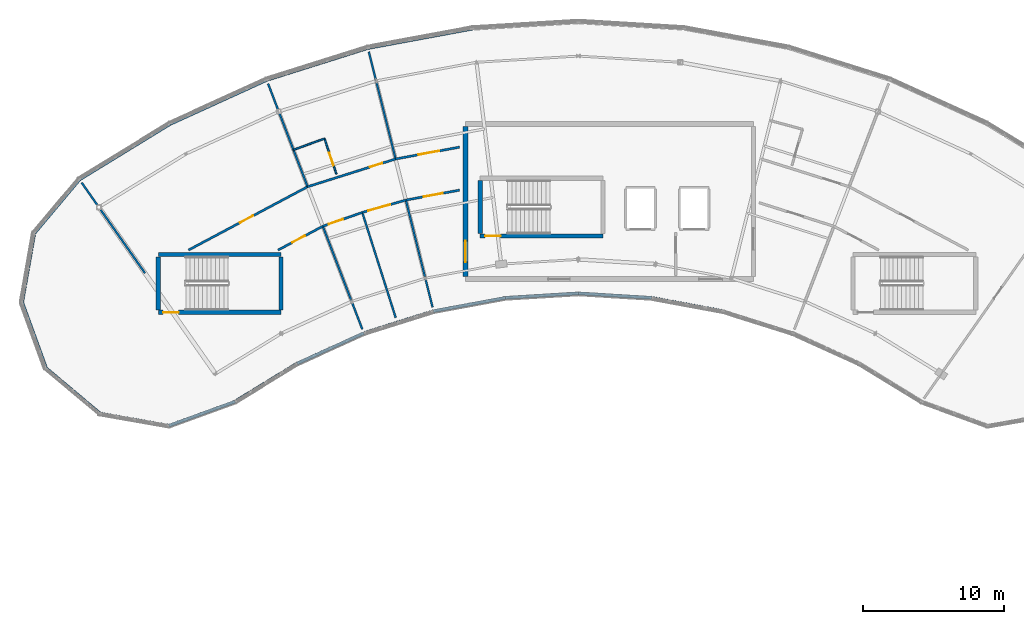
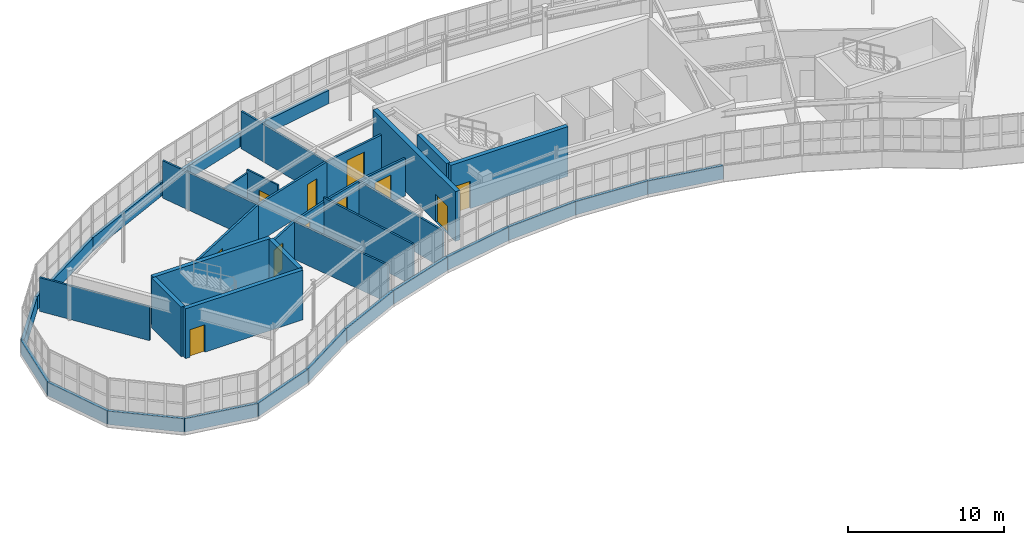
# One storey, part 54 of 65: 39 walls, 11 doors, 11 openings.
"""IFC4 building model written with IfcOpenShell, lengths in metres."""

from ifc_helpers import new_model, si_unit, direction, frame, frame_2d, origin, place, context, subcontext, project, spatial, rectangle, extrude, material, layer, layer_set, type_object, element, fill, save


model = new_model("IFC4")

# Units and contexts
model_context = context("Model", 3, precision=1e-05, world=origin(), true_north=direction((0.0, 1.0)))
body_context = subcontext(model_context, "Body", "Model", "MODEL_VIEW")
ifc_project = project(units=[si_unit("LENGTHUNIT", "METRE"), si_unit("AREAUNIT", "SQUARE_METRE"), si_unit("VOLUMEUNIT", "CUBIC_METRE"), si_unit("PLANEANGLEUNIT", "RADIAN"), si_unit("MASSUNIT", "GRAM", prefix="KILO")], contexts=[model_context])

# Site, building, storey
site_placement = place(None, origin())
site = spatial("IfcSite", under=ifc_project, at=site_placement, CompositionType="ELEMENT")
building_placement = place(site_placement, origin())
building = spatial("IfcBuilding", under=site, at=building_placement, Name="Tarnwether General Hospital", CompositionType="ELEMENT")
storey_placement = place(building_placement, frame((0.0, 0.0, 22.199951171875)))
storey = spatial("IfcBuildingStorey", under=building, at=storey_placement, Name="L05", CompositionType="ELEMENT", Elevation=22.199951171875)

# Walls
ifc_material_1 = material(Name="Streamlined white enamelled aluminium", Category="aluminium")
ifc_layer_1 = layer(ifc_material_1, 0.219970703125)
ifc_layer_set_1 = layer_set([ifc_layer_1], Name="Streamlined white enamelled aluminium")
wall_type_1 = type_object("IfcWallType", Name="WL-EX220", PredefinedType="STANDARD", material=ifc_layer_set_1)
wall_1_placement = place(storey_placement, frame((52.611083984375, 104.759033203125, 0.0), z_axis=(0.0, 0.0, 1.0), x_axis=(0.173426579259, 0.984846801085, 0.0)))
element("IfcWall", 1, at=wall_1_placement, inside=storey, type_object=wall_type_1, Name="Ward NW Streamlined White Spandrel EW-L05-0065", PredefinedType="STANDARD", context=body_context, shape_type="SweptSolid", body=[
    extrude(rectangle(XDim=4.96923828125, YDim=0.219970703125, at=frame_2d((2.484619140625, 0.0))), origin(), (0.0, 0.0, 1.0), 1.050048828125),
])
wall_2_placement = place(storey_placement, frame((54.31005859375, 100.090087890625, 0.0), z_axis=(0.0, 0.0, 1.0), x_axis=(-0.341952160632, 0.939717361678, 0.0)))
element("IfcWall", 2, at=wall_2_placement, inside=storey, type_object=wall_type_1, Name="Ward NW Streamlined White Spandrel EW-L05-0066", PredefinedType="STANDARD", context=body_context, shape_type="SweptSolid", body=[
    extrude(rectangle(XDim=4.968505859375, YDim=0.219970703125, at=frame_2d((2.484375, 0.0))), origin(), (0.0, 0.0, 1.0), 1.050048828125),
])
wall_3_placement = place(storey_placement, frame((58.116943359375, 96.89501953125, 0.0), z_axis=(0.0, 0.0, 1.0), x_axis=(-0.765973821879, 0.642871763415, 0.0)))
element("IfcWall", 3, at=wall_3_placement, inside=storey, type_object=wall_type_1, Name="Ward NW Streamlined White Spandrel EW-L05-0067", PredefinedType="STANDARD", context=body_context, shape_type="SweptSolid", body=[
    extrude(rectangle(XDim=4.969970703125, YDim=0.219970703125, at=frame_2d((2.48486328125, 0.0))), origin(), (0.0, 0.0, 1.0), 1.050048828125),
])
wall_4_placement = place(storey_placement, frame((63.010986328125, 96.031982421875, 0.0), z_axis=(0.0, 0.0, 1.0), x_axis=(-0.984804817938, 0.173664822479, 0.0)))
element("IfcWall", 4, at=wall_4_placement, inside=storey, type_object=wall_type_1, Name="Ward NW Streamlined White Spandrel EW-L05-0068", PredefinedType="STANDARD", context=body_context, shape_type="SweptSolid", body=[
    extrude(rectangle(XDim=4.969482421875, YDim=0.219970703125, at=frame_2d((2.48486328125, 0.0))), origin(), (0.0, 0.0, 1.0), 1.050048828125),
])
wall_5_placement = place(storey_placement, frame((67.679931640625, 97.73193359375, 0.0), z_axis=(0.0, 0.0, 1.0), x_axis=(-0.939654190044, -0.34212571247, 0.0)))
element("IfcWall", 5, at=wall_5_placement, inside=storey, type_object=wall_type_1, Name="Ward NW Streamlined White Spandrel EW-L05-0069", PredefinedType="STANDARD", context=body_context, shape_type="SweptSolid", body=[
    extrude(rectangle(XDim=4.96875, YDim=0.219970703125, at=frame_2d((2.484375, 0.0))), origin(), (0.0, 0.0, 1.0), 1.050048828125),
])
for number, where, z_axis, x_axis, name in (
    (6, (72.093994140625, 100.43701171875, 0.0), (0.0, 0.0, 1.0), (-0.852628362135, -0.522517823698, 0.0), "Ward NW Streamlined White Spandrel EW-L05-0070"),
    (7, (76.804931640625, 102.583984375, 0.0), (0.0, 0.0, 1.0), (-0.909955822384, -0.414705198074, 0.0), "Ward NW Streamlined White Spandrel EW-L05-0071"),
):
    element("IfcWall", number, at=place(storey_placement, frame(where, z_axis=z_axis, x_axis=x_axis)), inside=storey, type_object=wall_type_1, Name=name, PredefinedType="STANDARD", context=body_context, shape_type="SweptSolid", body=[
        extrude(rectangle(XDim=5.177001953125, YDim=0.219970703125, at=frame_2d((2.58837890625, 0.0))), origin(), (0.0, 0.0, 1.0), 1.050048828125),
    ])
wall_6_placement = place(storey_placement, frame((81.742919921875, 104.14111328125, 0.0), z_axis=(0.0, 0.0, 1.0), x_axis=(-0.953706582316, -0.300738681994, 0.0)))
element("IfcWall", 8, at=wall_6_placement, inside=storey, type_object=wall_type_1, Name="Ward NW Streamlined White Spandrel EW-L05-0072", PredefinedType="STANDARD", context=body_context, shape_type="SweptSolid", body=[
    extrude(rectangle(XDim=5.177734375, YDim=0.219970703125, at=frame_2d((2.5888671875, 0.0))), origin(), (0.0, 0.0, 1.0), 1.050048828125),
])
for number, where, z_axis, x_axis, name in (
    (9, (86.8330078125, 105.083984375, 0.0), (0.0, 0.0, 1.0), (-0.98327293422, -0.182138235501, 0.0), "Ward NW Streamlined White Spandrel EW-L05-0073"),
    (10, (92.0, 105.39990234375, 0.0), (0.0, 0.0, 1.0), (-0.998136079034, -0.061027598104, 0.0), "Ward NW Streamlined White Spandrel EW-L05-0074"),
    (11, (97.1669921875, 105.083984375, 0.0), (0.0, 0.0, 1.0), (-0.998136079034, 0.061027598104, 0.0), "Ward NW Streamlined White Spandrel EW-L05-0075"),
    (12, (102.257080078125, 104.14111328125, 0.0), (0.0, 0.0, 1.0), (-0.98327293422, 0.182138235501, 0.0), "Ward NW Streamlined White Spandrel EW-L05-0076"),
):
    element("IfcWall", number, at=place(storey_placement, frame(where, z_axis=z_axis, x_axis=x_axis)), inside=storey, type_object=wall_type_1, Name=name, PredefinedType="STANDARD", context=body_context, shape_type="SweptSolid", body=[
        extrude(rectangle(XDim=5.1767578125, YDim=0.219970703125, at=frame_2d((2.58837890625, 0.0))), origin(), (0.0, 0.0, 1.0), 1.050048828125),
    ])
wall_7_placement = place(storey_placement, frame((77.097900390625, 122.77001953125, 0.0), z_axis=(0.0, 0.0, 1.0), x_axis=(0.983242805192, 0.18230081195, 0.0)))
element("IfcWall", 13, at=wall_7_placement, inside=storey, type_object=wall_type_1, Name="Ward NW Streamlined White Spandrel EW-L05-0092", PredefinedType="STANDARD", context=body_context, shape_type="SweptSolid", body=[
    extrude(rectangle(XDim=7.52099609375, YDim=0.219970703125, at=frame_2d((3.760498046875, 0.0))), origin(), (0.0, 0.0, 1.0), 1.050048828125),
])
wall_8_placement = place(storey_placement, frame((69.925048828125, 120.509033203125, 0.0), z_axis=(0.0, 0.0, 1.0), x_axis=(0.953740021466, 0.300632618747, 0.0)))
element("IfcWall", 14, at=wall_8_placement, inside=storey, type_object=wall_type_1, Name="Ward NW Streamlined White Spandrel EW-L05-0093", PredefinedType="STANDARD", context=body_context, shape_type="SweptSolid", body=[
    extrude(rectangle(XDim=7.520751953125, YDim=0.219970703125, at=frame_2d((3.76025390625, 0.0))), origin(), (0.0, 0.0, 1.0), 1.050048828125),
])
wall_9_placement = place(storey_placement, frame((63.0810546875, 117.389892578125, 0.0), z_axis=(0.0, 0.0, 1.0), x_axis=(0.909953604353, 0.414710064895, 0.0)))
element("IfcWall", 15, at=wall_9_placement, inside=storey, type_object=wall_type_1, Name="Ward NW Streamlined White Spandrel EW-L05-0094", PredefinedType="STANDARD", context=body_context, shape_type="SweptSolid", body=[
    extrude(rectangle(XDim=7.521240234375, YDim=0.219970703125, at=frame_2d((3.7607421875, 0.0))), origin(), (0.0, 0.0, 1.0), 1.050048828125),
])
wall_10_placement = place(storey_placement, frame((56.66796875, 113.4599609375, 0.0), z_axis=(0.0, 0.0, 1.0), x_axis=(0.852640903338, 0.522497358803, 0.0)))
element("IfcWall", 16, at=wall_10_placement, inside=storey, type_object=wall_type_1, Name="Ward NW Streamlined White Spandrel EW-L05-0095", PredefinedType="STANDARD", context=body_context, shape_type="SweptSolid", body=[
    extrude(rectangle(XDim=7.521484375, YDim=0.219970703125, at=frame_2d((3.7607421875, 0.0))), origin(), (0.0, 0.0, 1.0), 1.050048828125),
])
wall_11_placement = place(storey_placement, frame((53.472900390625, 109.653076171875, 0.0), z_axis=(0.0, 0.0, 1.0), x_axis=(0.642871763415, 0.765973821879, 0.0)))
element("IfcWall", 17, at=wall_11_placement, inside=storey, type_object=wall_type_1, Name="Ward NW Streamlined White Spandrel EW-L05-0096", PredefinedType="STANDARD", context=body_context, shape_type="SweptSolid", body=[
    extrude(rectangle(XDim=4.969970703125, YDim=0.219970703125, at=frame_2d((2.48486328125, 0.0))), origin(), (0.0, 0.0, 1.0), 1.050048828125),
])

# Wall, opening, door
ifc_material_2 = material(Name="Gypsum plasterboard")
ifc_layer_2 = layer(ifc_material_2, 0.1201171875)
ifc_layer_set_2 = layer_set([ifc_layer_2], Name="Gypsum plasterboard")
wall_type_2 = type_object("IfcWallType", Name="WL-PT120", PredefinedType="PARTITIONING", material=ifc_layer_set_2)
wall_12_placement = place(storey_placement, frame((74.873046875, 113.83203125, 0.0), z_axis=(0.0, 0.0, 1.0), x_axis=(-0.319199781595, 0.947687448176, 0.0)))
wall_12 = element("IfcWall", 18, at=wall_12_placement, inside=storey, type_object=wall_type_2, Name="Interior Partition PT-L05-0429", PredefinedType="PARTITIONING", context=body_context, shape_type="SweptSolid", body=[
    extrude(rectangle(XDim=2.66015625, YDim=0.1201171875, at=frame_2d((1.330078125, 0.0))), origin(), (0.0, 0.0, 1.0), 3.18896484375),
])
opening_1_placement = place(wall_12_placement, frame((0.64990234375, 0.0, 0.0)))
opening_1 = element("IfcOpeningElement", 19, at=opening_1_placement, cuts=wall_12, Name="Opening D-10", PredefinedType="OPENING", context=body_context, shape_type="SweptSolid", body=[
    extrude(rectangle(XDim=0.9599609375, YDim=2.06005859375, at=frame_2d((0.47998046875, 1.030029296875))), frame((0.0, 0.070068359375, 0.0), z_axis=(0.0, -1.0, 0.0), x_axis=(1.0, 0.0, 0.0)), (0.0, 0.0, 1.0), 0.14013671875),
])
ifc_material_3 = material(Name="Anodised aluminium", Category="aluminium")
door_type_1 = type_object("IfcDoorType", Name="DR-IN10", OperationType="NOTDEFINED", PredefinedType="DOOR", material=ifc_material_3)
door_1_placement = place(opening_1_placement, origin())
door_1 = element("IfcDoor", 20, at=door_1_placement, inside=storey, type_object=door_type_1, Name="Interior Door DR-L05-0238", OperationType="SINGLE_SWING_RIGHT", OverallHeight=2.06005859375, OverallWidth=0.9599609375, PredefinedType="DOOR", context=body_context, shape_type="SweptSolid", body=[
    extrude(rectangle(XDim=0.9599609375, YDim=2.06005859375, at=frame_2d((0.47998046875, 1.030029296875))), frame((0.0, 0.02490234375, 0.0), z_axis=(0.0, -1.0, 0.0), x_axis=(1.0, 0.0, 0.0)), (0.0, 0.0, 1.0), 0.050048828125),
])
fill(opening_1, door_1)

# Walls
wall_13_placement = place(storey_placement, frame((71.823974609375, 115.56103515625, 0.0), z_axis=(0.0, 0.0, 1.0), x_axis=(0.940886080788, 0.338723165695, 0.0)))
element("IfcWall", 21, at=wall_13_placement, inside=storey, type_object=wall_type_2, Name="Interior Partition PT-L05-0430", PredefinedType="PARTITIONING", context=body_context, shape_type="SweptSolid", body=[
    extrude(rectangle(XDim=2.338134765625, YDim=0.1201171875, at=frame_2d((1.1689453125, 0.0))), origin(), (0.0, 0.0, 1.0), 2.93310546875),
])
ifc_material_4 = material(Name="Gypsum plasterboard")
ifc_layer_3 = layer(ifc_material_4, 0.139892578125)
ifc_layer_set_3 = layer_set([ifc_layer_3], Name="Gypsum plasterboard")
wall_type_3 = type_object("IfcWallType", Name="WL-PT140", PredefinedType="PARTITIONING", material=ifc_layer_set_3)
wall_14_placement = place(storey_placement, frame((72.826904296875, 112.947021484375, 0.0), z_axis=(0.0, 0.0, 1.0), x_axis=(-0.358342954102, 0.933590020965, 0.0)))
element("IfcWall", 22, at=wall_14_placement, inside=storey, type_object=wall_type_3, Name="Interior Partition PT-L05-0426", PredefinedType="PARTITIONING", context=body_context, shape_type="SweptSolid", body=[
    extrude(rectangle(XDim=7.8193359375, YDim=0.139892578125, at=frame_2d((3.90966796875, 0.0))), origin(), (0.0, 0.0, 1.0), 2.93310546875),
])
wall_15_placement = place(storey_placement, frame((73.902099609375, 110.14599609375, 0.0), z_axis=(0.0, 0.0, 1.0), x_axis=(0.358410014332, -0.933564278251, 0.0)))
element("IfcWall", 23, at=wall_15_placement, inside=storey, type_object=wall_type_3, Name="Interior Partition PT-L05-0428", PredefinedType="PARTITIONING", context=body_context, shape_type="SweptSolid", body=[
    extrude(rectangle(XDim=7.820556640625, YDim=0.139892578125, at=frame_2d((3.91015625, 0.0))), origin(), (0.0, 0.0, 1.0), 2.93310546875),
])
wall_16_placement = place(storey_placement, frame((79.056884765625, 114.910888671875, 0.0), z_axis=(0.0, 0.0, 1.0), x_axis=(-0.241911207257, 0.970298391117, 0.0)))
element("IfcWall", 24, at=wall_16_placement, inside=storey, type_object=wall_type_3, Name="Interior Partition PT-L05-0432", PredefinedType="PARTITIONING", context=body_context, shape_type="SweptSolid", body=[
    extrude(rectangle(XDim=7.8203125, YDim=0.139892578125, at=frame_2d((3.91015625, 0.0))), origin(), (0.0, 0.0, 1.0), 2.93798828125),
])
wall_17_placement = place(storey_placement, frame((76.697021484375, 111.125, 0.0), z_axis=(0.0, 0.0, 1.0), x_axis=(0.302952343331, -0.95300570705, 0.0)))
element("IfcWall", 25, at=wall_17_placement, inside=storey, type_object=wall_type_3, Name="Interior Partition PT-L05-0433", PredefinedType="PARTITIONING", context=body_context, shape_type="SweptSolid", body=[
    extrude(rectangle(XDim=7.8193359375, YDim=0.139892578125, at=frame_2d((3.90966796875, 0.0))), origin(), (0.0, 0.0, 1.0), 3.240966796875),
])
wall_18_placement = place(storey_placement, frame((79.782958984375, 112.0, 0.0), z_axis=(0.0, 0.0, 1.0), x_axis=(0.241947927131, -0.970289235515, 0.0)))
element("IfcWall", 26, at=wall_18_placement, inside=storey, type_object=wall_type_3, Name="Interior Partition PT-L05-0436", PredefinedType="PARTITIONING", context=body_context, shape_type="SweptSolid", body=[
    extrude(rectangle(XDim=7.8203125, YDim=0.139892578125, at=frame_2d((3.91015625, 0.0))), origin(), (0.0, 0.0, 1.0), 2.93798828125),
])
wall_19_placement = place(storey_placement, frame((61.31396484375, 106.824951171875, 0.0), z_axis=(0.0, 0.0, 1.0), x_axis=(-0.573682336084, 0.819077882295, 0.0)))
element("IfcWall", 27, at=wall_19_placement, inside=storey, type_object=wall_type_3, Name="Interior Partition PT-L05-0449", PredefinedType="PARTITIONING", context=body_context, shape_type="SweptSolid", body=[
    extrude(rectangle(XDim=7.81982421875, YDim=0.139892578125, at=frame_2d((3.909912109375, 0.0))), origin(), (0.0, 0.0, 1.0), 2.64501953125),
])

# Wall, opening, door
ifc_material_5 = material(Name="Gypsum plasterboard")
ifc_layer_4 = layer(ifc_material_5, 0.159912109375)
ifc_layer_set_4 = layer_set([ifc_layer_4], Name="Gypsum plasterboard")
wall_type_4 = type_object("IfcWallType", Name="WL-PT160", PredefinedType="PARTITIONING", material=ifc_layer_set_4)
wall_20_placement = place(storey_placement, frame((64.388916015625, 108.4599609375, 0.0), z_axis=(0.0, 0.0, 1.0), x_axis=(0.882925792416, 0.46951256116, 0.0)))
wall_20 = element("IfcWall", 28, at=wall_20_placement, inside=storey, type_object=wall_type_4, Name="Interior Partition PT-L05-0425", PredefinedType="PARTITIONING", context=body_context, shape_type="SweptSolid", body=[
    extrude(rectangle(XDim=9.556884765625, YDim=0.159912109375, at=frame_2d((4.7783203125, 0.0))), origin(), (0.0, 0.0, 1.0), 2.93310546875),
])
opening_2_placement = place(wall_20_placement, frame((4.12890625, 0.0, 0.0)))
opening_2 = element("IfcOpeningElement", 29, at=opening_2_placement, cuts=wall_20, Name="Opening D-08", PredefinedType="OPENING", context=body_context, shape_type="SweptSolid", body=[
    extrude(rectangle(XDim=1.06005859375, YDim=2.10009765625, at=frame_2d((0.530029296875, 1.050048828125))), frame((0.0, 0.08984375, 0.0), z_axis=(0.0, -1.0, 0.0), x_axis=(1.0, 0.0, 0.0)), (0.0, 0.0, 1.0), 0.179931640625),
])
ifc_material_6 = material(Name="Anodised aluminium", Category="aluminium")
door_type_2 = type_object("IfcDoorType", Name="DR-IN08", OperationType="NOTDEFINED", PredefinedType="DOOR", material=ifc_material_6)
door_2_placement = place(opening_2_placement, origin())
door_2 = element("IfcDoor", 30, at=door_2_placement, inside=storey, type_object=door_type_2, Name="Interior Door DR-L05-0236", OperationType="SINGLE_SWING_RIGHT", OverallHeight=2.10009765625, OverallWidth=1.06005859375, PredefinedType="DOOR", context=body_context, shape_type="SweptSolid", body=[
    extrude(rectangle(XDim=1.06005859375, YDim=2.10009765625, at=frame_2d((0.530029296875, 1.050048828125))), frame((0.0, 0.02490234375, 0.0), z_axis=(0.0, -1.0, 0.0), x_axis=(1.0, 0.0, 0.0)), (0.0, 0.0, 1.0), 0.050048828125),
])
fill(opening_2, door_2)

wall_21_placement = place(storey_placement, frame((70.73095703125, 108.4599609375, 0.0), z_axis=(0.0, 0.0, 1.0), x_axis=(0.882958125757, 0.46945175275, 0.0)))
wall_21 = element("IfcWall", 31, at=wall_21_placement, inside=storey, type_object=wall_type_4, Name="Interior Partition PT-L05-0427", PredefinedType="PARTITIONING", context=body_context, shape_type="SweptSolid", body=[
    extrude(rectangle(XDim=3.591552734375, YDim=0.159912109375, at=frame_2d((1.7958984375, 0.0))), origin(), (0.0, 0.0, 1.0), 2.93310546875),
])
opening_3_placement = place(wall_21_placement, frame((1.14599609375, 0.0, 0.0)))
opening_3 = element("IfcOpeningElement", 32, at=opening_3_placement, cuts=wall_21, Name="Opening D-09", PredefinedType="OPENING", context=body_context, shape_type="SweptSolid", body=[
    extrude(rectangle(XDim=1.02001953125, YDim=2.080078125, at=frame_2d((0.510009765625, 1.0400390625))), frame((0.0, 0.08984375, 0.0), z_axis=(0.0, -1.0, 0.0), x_axis=(1.0, 0.0, 0.0)), (0.0, 0.0, 1.0), 0.179931640625),
])
ifc_material_7 = material(Name="Anodised aluminium", Category="aluminium")
door_type_3 = type_object("IfcDoorType", Name="DR-IN09", OperationType="NOTDEFINED", PredefinedType="DOOR", material=ifc_material_7)
door_3_placement = place(opening_3_placement, origin())
door_3 = element("IfcDoor", 33, at=door_3_placement, inside=storey, type_object=door_type_3, Name="Interior Door DR-L05-0237", OperationType="SINGLE_SWING_LEFT", OverallHeight=2.080078125, OverallWidth=1.02001953125, PredefinedType="DOOR", context=body_context, shape_type="SweptSolid", body=[
    extrude(rectangle(XDim=1.02001953125, YDim=2.080078125, at=frame_2d((0.510009765625, 1.0400390625))), frame((0.0, 0.02490234375, 0.0), z_axis=(0.0, -1.0, 0.0), x_axis=(1.0, 0.0, 0.0)), (0.0, 0.0, 1.0), 0.050048828125),
])
fill(opening_3, door_3)

wall_22_placement = place(storey_placement, frame((72.826904296875, 112.947021484375, 0.0), z_axis=(0.0, 0.0, 1.0), x_axis=(0.953736183483, 0.30064479426, 0.0)))
wall_22 = element("IfcWall", 34, at=wall_22_placement, inside=storey, type_object=wall_type_4, Name="Interior Partition PT-L05-0431", PredefinedType="PARTITIONING", context=body_context, shape_type="SweptSolid", body=[
    extrude(rectangle(XDim=6.5322265625, YDim=0.159912109375, at=frame_2d((3.26611328125, 0.0))), origin(), (0.0, 0.0, 1.0), 2.93310546875),
])
opening_4_placement = place(wall_22_placement, frame((4.632080078125, 0.0, 0.0)))
opening_4 = element("IfcOpeningElement", 35, at=opening_4_placement, cuts=wall_22, Name="Opening D-11", PredefinedType="OPENING", context=body_context, shape_type="SweptSolid", body=[
    extrude(rectangle(XDim=0.89990234375, YDim=2.10009765625, at=frame_2d((0.449951171875, 1.050048828125))), frame((0.0, 0.08984375, 0.0), z_axis=(0.0, -1.0, 0.0), x_axis=(1.0, 0.0, 0.0)), (0.0, 0.0, 1.0), 0.179931640625),
])
ifc_material_8 = material(Name="Anodised aluminium", Category="aluminium")
door_type_4 = type_object("IfcDoorType", Name="DR-IN11", OperationType="NOTDEFINED", PredefinedType="DOOR", material=ifc_material_8)
door_4_placement = place(opening_4_placement, origin())
door_4 = element("IfcDoor", 36, at=door_4_placement, inside=storey, type_object=door_type_4, Name="Interior Door DR-L05-0239", OperationType="SINGLE_SWING_LEFT", OverallHeight=2.10009765625, OverallWidth=0.89990234375, PredefinedType="DOOR", context=body_context, shape_type="SweptSolid", body=[
    extrude(rectangle(XDim=0.89990234375, YDim=2.10009765625, at=frame_2d((0.449951171875, 1.050048828125))), frame((0.0, 0.02490234375, 0.0), z_axis=(0.0, -1.0, 0.0), x_axis=(1.0, 0.0, 0.0)), (0.0, 0.0, 1.0), 0.050048828125),
])
fill(opening_4, door_4)

wall_23_placement = place(storey_placement, frame((73.902099609375, 110.14599609375, 0.0), z_axis=(0.0, 0.0, 1.0), x_axis=(0.943776070457, 0.330585433485, 0.0)))
wall_23 = element("IfcWall", 37, at=wall_23_placement, inside=storey, type_object=wall_type_4, Name="Interior Partition PT-L05-0434", PredefinedType="PARTITIONING", context=body_context, shape_type="SweptSolid", body=[
    extrude(rectangle(XDim=2.96142578125, YDim=0.159912109375, at=frame_2d((1.480712890625, 0.0))), origin(), (0.0, 0.0, 1.0), 2.93310546875),
])
opening_5_placement = place(wall_23_placement, frame((0.449951171875, 0.0, 0.0)))
opening_5 = element("IfcOpeningElement", 38, at=opening_5_placement, cuts=wall_23, Name="Opening D-08", PredefinedType="OPENING", context=body_context, shape_type="SweptSolid", body=[
    extrude(rectangle(XDim=1.06005859375, YDim=2.10009765625, at=frame_2d((0.530029296875, 1.050048828125))), frame((0.0, 0.08984375, 0.0), z_axis=(0.0, -1.0, 0.0), x_axis=(1.0, 0.0, 0.0)), (0.0, 0.0, 1.0), 0.179931640625),
])
door_5_placement = place(opening_5_placement, origin())
door_5 = element("IfcDoor", 39, at=door_5_placement, inside=storey, type_object=door_type_2, Name="Interior Door DR-L05-0240", OperationType="SINGLE_SWING_RIGHT", OverallHeight=2.10009765625, OverallWidth=1.06005859375, PredefinedType="DOOR", context=body_context, shape_type="SweptSolid", body=[
    extrude(rectangle(XDim=1.06005859375, YDim=2.10009765625, at=frame_2d((0.530029296875, 1.050048828125))), frame((0.0, 0.02490234375, 0.0), z_axis=(0.0, -1.0, 0.0), x_axis=(1.0, 0.0, 0.0)), (0.0, 0.0, 1.0), 0.050048828125),
])
fill(opening_5, door_5)

wall_24_placement = place(storey_placement, frame((76.697021484375, 111.125, 0.0), z_axis=(0.0, 0.0, 1.0), x_axis=(0.962073473599, 0.272790453274, 0.0)))
wall_24 = element("IfcWall", 40, at=wall_24_placement, inside=storey, type_object=wall_type_4, Name="Interior Partition PT-L05-0435", PredefinedType="PARTITIONING", context=body_context, shape_type="SweptSolid", body=[
    extrude(rectangle(XDim=3.20751953125, YDim=0.159912109375, at=frame_2d((1.603759765625, 0.0))), origin(), (0.0, 0.0, 1.0), 2.93798828125),
])
opening_6_placement = place(wall_24_placement, frame((0.449951171875, 0.0, 0.0)))
opening_6 = element("IfcOpeningElement", 41, at=opening_6_placement, cuts=wall_24, Name="Opening SD-02", PredefinedType="OPENING", context=body_context, shape_type="SweptSolid", body=[
    extrude(rectangle(XDim=1.6201171875, YDim=2.300048828125, at=frame_2d((0.81005859375, 1.14990234375))), frame((0.0, 0.08984375, 0.0), z_axis=(0.0, -1.0, 0.0), x_axis=(1.0, 0.0, 0.0)), (0.0, 0.0, 1.0), 0.179931640625),
])
ifc_material_9 = material(Name="Anodised aluminium", Category="aluminium")
door_type_5 = type_object("IfcDoorType", Name="DR-OR02", OperationType="NOTDEFINED", PredefinedType="DOOR", material=ifc_material_9)
door_6_placement = place(opening_6_placement, origin())
door_6 = element("IfcDoor", 42, at=door_6_placement, inside=storey, type_object=door_type_5, Name="Interior Door DR-L05-0241", OperationType="SLIDING_TO_RIGHT", OverallHeight=2.300048828125, OverallWidth=1.6201171875, PredefinedType="DOOR", context=body_context, shape_type="SweptSolid", body=[
    extrude(rectangle(XDim=1.6201171875, YDim=2.300048828125, at=frame_2d((0.81005859375, 1.14990234375))), frame((0.0, 0.02490234375, 0.0), z_axis=(0.0, -1.0, 0.0), x_axis=(1.0, 0.0, 0.0)), (0.0, 0.0, 1.0), 0.050048828125),
])
fill(opening_6, door_6)

wall_25_placement = place(storey_placement, frame((79.056884765625, 114.910888671875, 0.0), z_axis=(0.0, 0.0, 1.0), x_axis=(0.983258469263, 0.182216307235, 0.0)))
wall_25 = element("IfcWall", 43, at=wall_25_placement, inside=storey, type_object=wall_type_4, Name="Interior Partition PT-L05-0437", PredefinedType="PARTITIONING", context=body_context, shape_type="SweptSolid", body=[
    extrude(rectangle(XDim=4.6103515625, YDim=0.159912109375, at=frame_2d((2.30517578125, 0.0))), origin(), (0.0, 0.0, 1.0), 2.93798828125),
])
opening_7_placement = place(wall_25_placement, frame((1.655029296875, 0.0, 0.0)))
opening_7 = element("IfcOpeningElement", 44, at=opening_7_placement, cuts=wall_25, Name="Opening SD-03", PredefinedType="OPENING", context=body_context, shape_type="SweptSolid", body=[
    extrude(rectangle(XDim=1.47998046875, YDim=2.260009765625, at=frame_2d((0.739990234375, 1.1298828125))), frame((0.0, 0.08984375, 0.0), z_axis=(0.0, -1.0, 0.0), x_axis=(1.0, 0.0, 0.0)), (0.0, 0.0, 1.0), 0.179931640625),
])
ifc_material_10 = material(Name="Anodised aluminium", Category="aluminium")
door_type_6 = type_object("IfcDoorType", Name="DR-OR03", OperationType="NOTDEFINED", PredefinedType="DOOR", material=ifc_material_10)
door_7_placement = place(opening_7_placement, origin())
door_7 = element("IfcDoor", 45, at=door_7_placement, inside=storey, type_object=door_type_6, Name="Interior Door DR-L05-0242", OperationType="SLIDING_TO_LEFT", OverallHeight=2.260009765625, OverallWidth=1.47998046875, PredefinedType="DOOR", context=body_context, shape_type="SweptSolid", body=[
    extrude(rectangle(XDim=1.47998046875, YDim=2.260009765625, at=frame_2d((0.739990234375, 1.1298828125))), frame((0.0, 0.02490234375, 0.0), z_axis=(0.0, -1.0, 0.0), x_axis=(1.0, 0.0, 0.0)), (0.0, 0.0, 1.0), 0.050048828125),
])
fill(opening_7, door_7)

wall_26_placement = place(storey_placement, frame((79.782958984375, 112.0, 0.0), z_axis=(0.0, 0.0, 1.0), x_axis=(0.983234305922, 0.182346646962, 0.0)))
wall_26 = element("IfcWall", 46, at=wall_26_placement, inside=storey, type_object=wall_type_4, Name="Interior Partition PT-L05-0438", PredefinedType="PARTITIONING", context=body_context, shape_type="SweptSolid", body=[
    extrude(rectangle(XDim=3.8720703125, YDim=0.159912109375, at=frame_2d((1.93603515625, 0.0))), origin(), (0.0, 0.0, 1.0), 2.93798828125),
])
opening_8_placement = place(wall_26_placement, frame((1.285888671875, 0.0, 0.0)))
opening_8 = element("IfcOpeningElement", 47, at=opening_8_placement, cuts=wall_26, Name="Opening D-02", PredefinedType="OPENING", context=body_context, shape_type="SweptSolid", body=[
    extrude(rectangle(XDim=1.360107421875, YDim=2.179931640625, at=frame_2d((0.68017578125, 1.08984375))), frame((0.0, 0.08984375, 0.0), z_axis=(0.0, -1.0, 0.0), x_axis=(1.0, 0.0, 0.0)), (0.0, 0.0, 1.0), 0.179931640625),
])
ifc_material_11 = material(Name="Anodised aluminium", Category="aluminium")
door_type_7 = type_object("IfcDoorType", Name="DR-IN02", OperationType="NOTDEFINED", PredefinedType="DOOR", material=ifc_material_11)
door_8_placement = place(opening_8_placement, origin())
door_8 = element("IfcDoor", 48, at=door_8_placement, inside=storey, type_object=door_type_7, Name="Interior Door DR-L05-0243", OperationType="SINGLE_SWING_LEFT", OverallHeight=2.179931640625, OverallWidth=1.360107421875, PredefinedType="DOOR", context=body_context, shape_type="SweptSolid", body=[
    extrude(rectangle(XDim=1.360107421875, YDim=2.179931640625, at=frame_2d((0.68017578125, 1.08984375))), frame((0.0, 0.02490234375, 0.0), z_axis=(0.0, -1.0, 0.0), x_axis=(1.0, 0.0, 0.0)), (0.0, 0.0, 1.0), 0.050048828125),
])
fill(opening_8, door_8)

ifc_material_12 = material(Name="Concrete 50 MPa", Category="concrete")
ifc_layer_5 = layer(ifc_material_12, 0.300048828125)
ifc_layer_set_5 = layer_set([ifc_layer_5], Name="Concrete 50 MPa")
wall_type_5 = type_object("IfcWallType", Name="WL-SW300", PredefinedType="SHEAR", material=ifc_layer_set_5)
wall_27_placement = place(storey_placement, frame((85.050048828125, 109.449951171875, 0.0), z_axis=(0.0, 0.0, 1.0), x_axis=(1.0, 0.0, 0.0)))
wall_27 = element("IfcWall", 49, at=wall_27_placement, inside=storey, type_object=wall_type_5, Name="Stairwell Shear Wall STW-ST-01-L05-B", PredefinedType="SHEAR", context=body_context, shape_type="SweptSolid", body=[
    extrude(rectangle(XDim=8.699951171875, YDim=0.300048828125, at=frame_2d((4.35009765625, 0.0))), origin(), (0.0, 0.0, 1.0), 3.900146484375),
])
opening_9_placement = place(wall_27_placement, frame((0.35009765625, 0.0, 0.0)))
opening_9 = element("IfcOpeningElement", 50, at=opening_9_placement, cuts=wall_27, Name="Opening FD-06", PredefinedType="OPENING", context=body_context, shape_type="SweptSolid", body=[
    extrude(rectangle(XDim=1.10009765625, YDim=2.14990234375, at=frame_2d((0.550048828125, 1.074951171875))), frame((0.0, 0.16015625, 0.0), z_axis=(0.0, -1.0, 0.0), x_axis=(1.0, 0.0, 0.0)), (0.0, 0.0, 1.0), 0.320068359375),
])
ifc_material_13 = material(Name="Anodised aluminium", Category="aluminium")
door_type_8 = type_object("IfcDoorType", Name="DR-FD06", OperationType="NOTDEFINED", PredefinedType="DOOR", material=ifc_material_13)
door_9_placement = place(opening_9_placement, origin())
door_9 = element("IfcDoor", 51, at=door_9_placement, inside=storey, type_object=door_type_8, Name="Stairwell ST-01 Safe-Path Fire Door L05", OperationType="SINGLE_SWING_RIGHT", OverallHeight=2.14990234375, OverallWidth=1.10009765625, PredefinedType="DOOR", context=body_context, shape_type="SweptSolid", body=[
    extrude(rectangle(XDim=1.10009765625, YDim=2.14990234375, at=frame_2d((0.550048828125, 1.074951171875))), frame((0.0, 0.02490234375, 0.0), z_axis=(0.0, -1.0, 0.0), x_axis=(1.0, 0.0, 0.0)), (0.0, 0.0, 1.0), 0.050048828125),
])
fill(opening_9, door_9)

# Wall
wall_28_placement = place(storey_placement, frame((85.050048828125, 109.6201171875, 0.0), z_axis=(0.0, 0.0, 1.0), x_axis=(0.0, 1.0, 0.0)))
element("IfcWall", 52, at=wall_28_placement, inside=storey, type_object=wall_type_5, Name="Stairwell Shear Wall STW-ST-01-L05-L", PredefinedType="SHEAR", context=body_context, shape_type="SweptSolid", body=[
    extrude(rectangle(XDim=3.759765625, YDim=0.300048828125, at=frame_2d((1.8798828125, 0.0))), origin(), (0.0, 0.0, 1.0), 3.900146484375),
])

# Wall, opening, door
wall_29_placement = place(storey_placement, frame((62.25, 104.050048828125, 0.0), z_axis=(0.0, 0.0, 1.0), x_axis=(1.0, 0.0, 0.0)))
wall_29 = element("IfcWall", 53, at=wall_29_placement, inside=storey, type_object=wall_type_5, Name="Stairwell Shear Wall STW-ST-07-L05-B", PredefinedType="SHEAR", context=body_context, shape_type="SweptSolid", body=[
    extrude(rectangle(XDim=8.699951171875, YDim=0.300048828125, at=frame_2d((4.35009765625, 0.0))), origin(), (0.0, 0.0, 1.0), 3.900146484375),
])
opening_10_placement = place(wall_29_placement, frame((0.35009765625, 0.0, 0.0)))
opening_10 = element("IfcOpeningElement", 54, at=opening_10_placement, cuts=wall_29, Name="Opening FD-06", PredefinedType="OPENING", context=body_context, shape_type="SweptSolid", body=[
    extrude(rectangle(XDim=1.10009765625, YDim=2.14990234375, at=frame_2d((0.550048828125, 1.074951171875))), frame((0.0, 0.16015625, 0.0), z_axis=(0.0, -1.0, 0.0), x_axis=(1.0, 0.0, 0.0)), (0.0, 0.0, 1.0), 0.320068359375),
])
door_10_placement = place(opening_10_placement, origin())
door_10 = element("IfcDoor", 55, at=door_10_placement, inside=storey, type_object=door_type_8, Name="Stairwell ST-07 Safe-Path Fire Door L05", OperationType="SINGLE_SWING_LEFT", OverallHeight=2.14990234375, OverallWidth=1.10009765625, PredefinedType="DOOR", context=body_context, shape_type="SweptSolid", body=[
    extrude(rectangle(XDim=1.10009765625, YDim=2.14990234375, at=frame_2d((0.550048828125, 1.074951171875))), frame((0.0, 0.02490234375, 0.0), z_axis=(0.0, -1.0, 0.0), x_axis=(1.0, 0.0, 0.0)), (0.0, 0.0, 1.0), 0.050048828125),
])
fill(opening_10, door_10)

# Walls
wall_30_placement = place(storey_placement, frame((70.949951171875, 108.14990234375, 0.0), z_axis=(0.0, 0.0, 1.0), x_axis=(-1.0, 0.0, 0.0)))
element("IfcWall", 56, at=wall_30_placement, inside=storey, type_object=wall_type_5, Name="Stairwell Shear Wall STW-ST-07-L05-N", PredefinedType="SHEAR", context=body_context, shape_type="SweptSolid", body=[
    extrude(rectangle(XDim=8.699951171875, YDim=0.300048828125, at=frame_2d((4.35009765625, 0.0))), origin(), (0.0, 0.0, 1.0), 3.900146484375),
])
for number, where, z_axis, x_axis, name in (
    (57, (62.25, 104.219970703125, 0.0), (0.0, 0.0, 1.0), (0.0, 1.0, 0.0), "Stairwell Shear Wall STW-ST-07-L05-L"),
    (58, (70.949951171875, 104.219970703125, 0.0), (0.0, 0.0, 1.0), (0.0, 1.0, 0.0), "Stairwell Shear Wall STW-ST-07-L05-F"),
):
    element("IfcWall", number, at=place(storey_placement, frame(where, z_axis=z_axis, x_axis=x_axis)), inside=storey, type_object=wall_type_5, Name=name, PredefinedType="SHEAR", context=body_context, shape_type="SweptSolid", body=[
        extrude(rectangle(XDim=3.760009765625, YDim=0.300048828125, at=frame_2d((1.8798828125, 0.0))), origin(), (0.0, 0.0, 1.0), 3.900146484375),
    ])

# Wall, opening, door
ifc_material_14 = material(Name="Concrete 50 MPa", Category="concrete")
ifc_layer_6 = layer(ifc_material_14, 0.35009765625)
ifc_layer_set_6 = layer_set([ifc_layer_6], Name="Concrete 50 MPa")
wall_type_6 = type_object("IfcWallType", Name="WL-SW350", PredefinedType="SHEAR", material=ifc_layer_set_6)
wall_31_placement = place(storey_placement, frame((84.0, 106.60009765625, 0.0), z_axis=(0.0, 0.0, 1.0), x_axis=(0.0, 1.0, 0.0)))
wall_31 = element("IfcWall", 59, at=wall_31_placement, inside=storey, type_object=wall_type_6, Name="Core Shear Wall CWALL-K1-L05-W", PredefinedType="SHEAR", context=body_context, shape_type="SweptSolid", body=[
    extrude(rectangle(XDim=10.599853515625, YDim=0.35009765625, at=frame_2d((5.2998046875, 0.0))), origin(), (0.0, 0.0, 1.0), 3.900146484375),
])
opening_11_placement = place(wall_31_placement, frame((1.0, 0.0, 0.0)))
opening_11 = element("IfcOpeningElement", 60, at=opening_11_placement, cuts=wall_31, Name="Opening FD-02", PredefinedType="OPENING", context=body_context, shape_type="SweptSolid", body=[
    extrude(rectangle(XDim=1.52001953125, YDim=2.159912109375, at=frame_2d((0.760009765625, 1.080078125))), frame((0.0, 0.18505859375, 0.0), z_axis=(0.0, -1.0, 0.0), x_axis=(1.0, 0.0, 0.0)), (0.0, 0.0, 1.0), 0.3701171875),
])
ifc_material_15 = material(Name="Anodised aluminium", Category="aluminium")
door_type_9 = type_object("IfcDoorType", Name="DR-FD02", OperationType="NOTDEFINED", PredefinedType="DOOR", material=ifc_material_15)
door_11_placement = place(opening_11_placement, origin())
door_11 = element("IfcDoor", 61, at=door_11_placement, inside=storey, type_object=door_type_9, Name="Core K1 Ward Corridor Fire Door L05", OperationType="SINGLE_SWING_LEFT", OverallHeight=2.159912109375, OverallWidth=1.52001953125, PredefinedType="DOOR", context=body_context, shape_type="SweptSolid", body=[
    extrude(rectangle(XDim=1.52001953125, YDim=2.159912109375, at=frame_2d((0.760009765625, 1.080078125))), frame((0.0, 0.02490234375, 0.0), z_axis=(0.0, -1.0, 0.0), x_axis=(1.0, 0.0, 0.0)), (0.0, 0.0, 1.0), 0.050048828125),
])
fill(opening_11, door_11)

save(model, "model.ifc")
